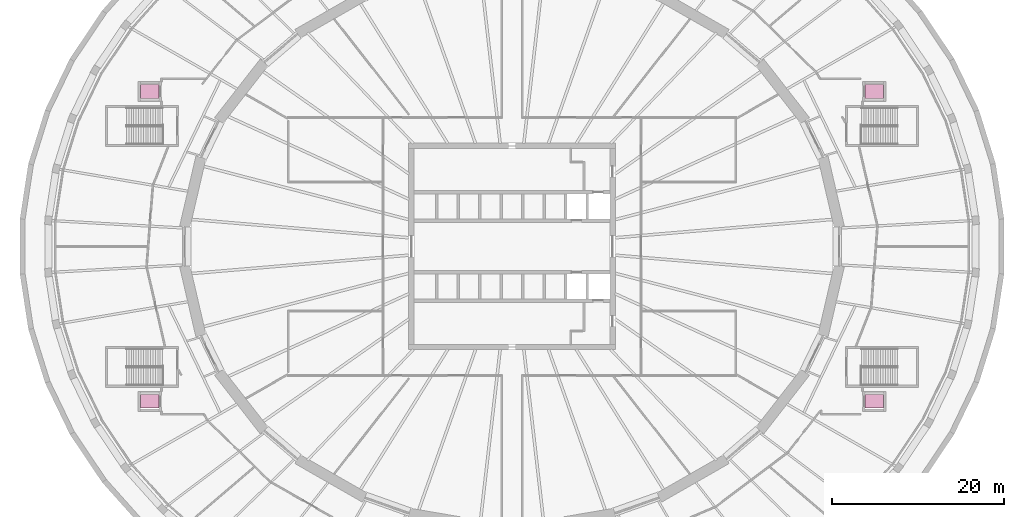
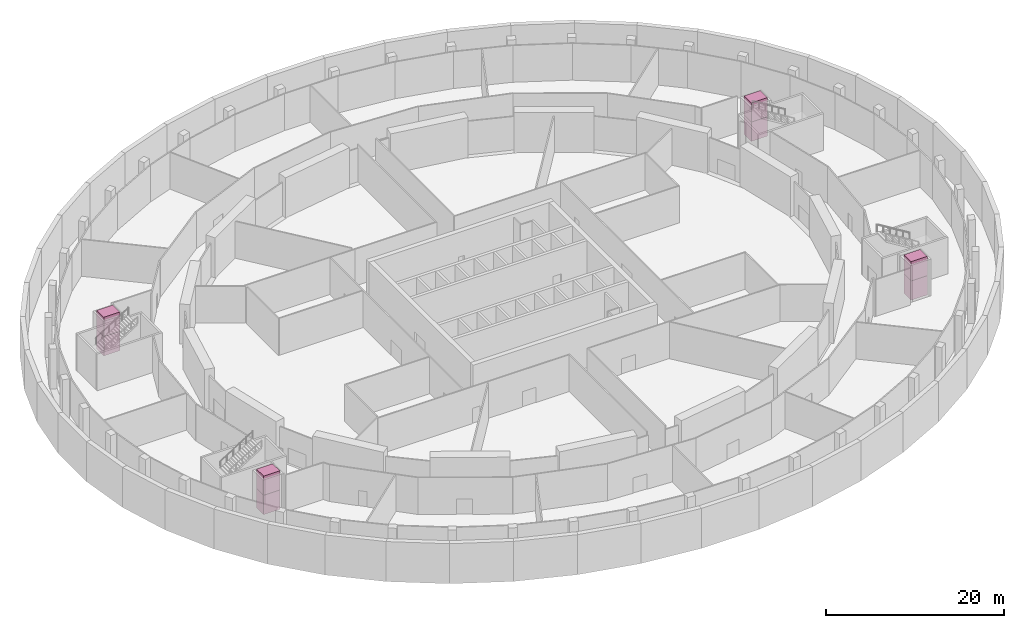
# One storey, part 14 of 14: 8 transport elements.
"""IFC4 building model written with IfcOpenShell, lengths in metres."""

from ifc_helpers import new_model, si_unit, direction, frame, origin, origin_2d, place, context, subcontext, project, spatial, rectangle, extrude, material, type_object, element, save


model = new_model("IFC4")

# Units and contexts
model_context = context("Model", 3, precision=1e-05, world=origin(), true_north=direction((0.0, 1.0)))
body_context = subcontext(model_context, "Body", "Model", "MODEL_VIEW")
ifc_project = project(units=[si_unit("LENGTHUNIT", "METRE"), si_unit("AREAUNIT", "SQUARE_METRE"), si_unit("VOLUMEUNIT", "CUBIC_METRE"), si_unit("PLANEANGLEUNIT", "RADIAN"), si_unit("MASSUNIT", "GRAM", prefix="KILO")], contexts=[model_context])

# Site, building, storey
site_placement = place(None, origin())
site = spatial("IfcSite", under=ifc_project, at=site_placement, CompositionType="ELEMENT")
building_placement = place(site_placement, origin())
building = spatial("IfcBuilding", under=site, at=building_placement, Name="Halqa Exchange Tower", CompositionType="ELEMENT")
storey_placement = place(building_placement, frame((0.0, 0.0, -9.5)))
storey = spatial("IfcBuildingStorey", under=building, at=storey_placement, Name="B2", CompositionType="ELEMENT", Elevation=-9.5)

# Transport elements
ifc_material = material(Name="Stainless steel", Category="steel")
transport_element_type = type_object("IfcTransportElementType", Name="Accessible station lift 1600 x 2100", PredefinedType="ELEVATOR", material=ifc_material)
for number, where, z_axis, x_axis, name in (
    (1, (42.10009765625, 18.0, 0.0), (0.0, 0.0, 1.0), (1.0, 0.0, 0.0), "Accessible station lift AL1"),
    (2, (42.10009765625, 18.0, 2.650146484375), (0.0, 0.0, 1.0), (1.0, 0.0, 0.0), "Accessible station lift AL1"),
    (3, (42.10009765625, -18.0, 0.0), (0.0, 0.0, 1.0), (1.0, 0.0, 0.0), "Accessible station lift AL2"),
    (4, (42.10009765625, -18.0, 2.650146484375), (0.0, 0.0, 1.0), (1.0, 0.0, 0.0), "Accessible station lift AL2"),
    (5, (-42.10009765625, 18.0, 0.0), (0.0, 0.0, 1.0), (1.0, 0.0, 0.0), "Accessible station lift AL3"),
    (6, (-42.10009765625, 18.0, 2.650146484375), (0.0, 0.0, 1.0), (1.0, 0.0, 0.0), "Accessible station lift AL3"),
    (7, (-42.10009765625, -18.0, 0.0), (0.0, 0.0, 1.0), (1.0, 0.0, 0.0), "Accessible station lift AL4"),
    (8, (-42.10009765625, -18.0, 2.650146484375), (0.0, 0.0, 1.0), (1.0, 0.0, 0.0), "Accessible station lift AL4"),
):
    element("IfcTransportElement", number, at=place(storey_placement, frame(where, z_axis=z_axis, x_axis=x_axis)), inside=storey, type_object=transport_element_type, Name=name, PredefinedType="ELEVATOR", context=body_context, shape_type="SweptSolid", body=[
        extrude(rectangle(XDim=2.10009765625, YDim=1.60009765625, at=origin_2d()), origin(), (0.0, 0.0, 1.0), 2.64990234375),
    ])

save(model, "model.ifc")
